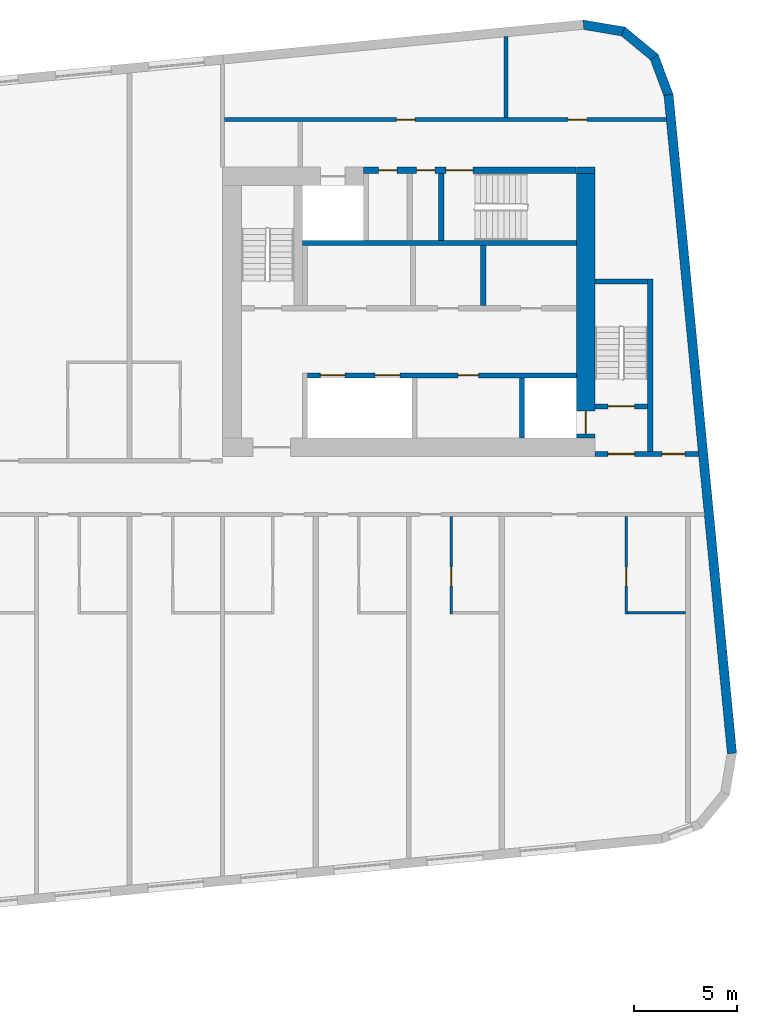
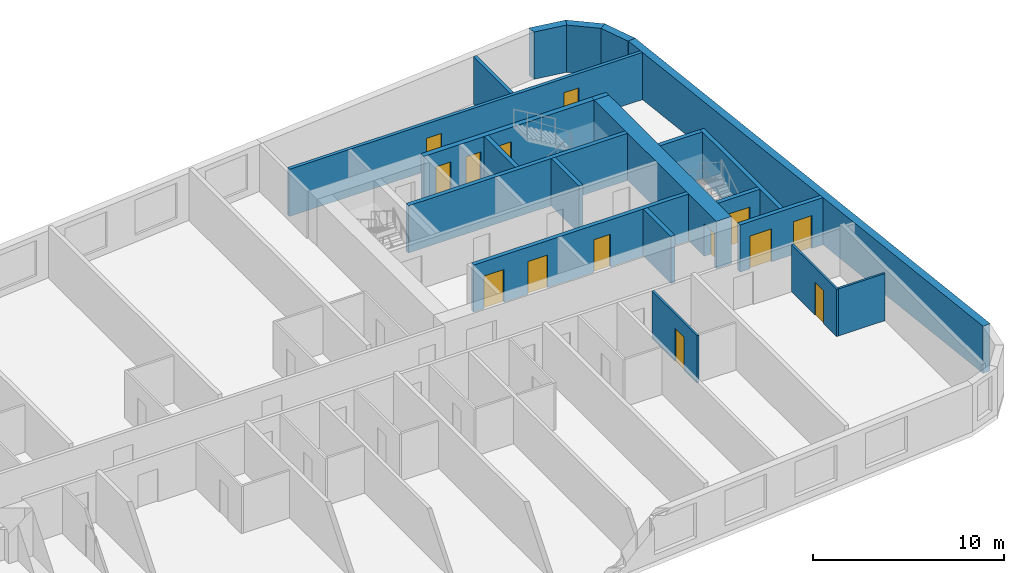
# One storey, part 7 of 11: 21 walls, 14 doors, 14 openings.
"""IFC4 building model written with IfcOpenShell, lengths in metres."""

from ifc_helpers import new_model, si_unit, direction, frame, frame_2d, origin, place, context, subcontext, project, spatial, polyline, rectangle, outline, extrude, material, layer, layer_set, type_object, element, fill, save


model = new_model("IFC4")

# Units and contexts
model_context = context("Model", 3, precision=1e-05, world=origin(), true_north=direction((0.0, 1.0)))
body_context = subcontext(model_context, "Body", "Model", "MODEL_VIEW")
ifc_project = project(units=[si_unit("LENGTHUNIT", "METRE"), si_unit("AREAUNIT", "SQUARE_METRE"), si_unit("VOLUMEUNIT", "CUBIC_METRE"), si_unit("PLANEANGLEUNIT", "RADIAN"), si_unit("MASSUNIT", "GRAM", prefix="KILO")], contexts=[model_context])

# Site, building, storey
site_placement = place(None, origin())
site = spatial("IfcSite", under=ifc_project, at=site_placement, CompositionType="ELEMENT")
building_placement = place(site_placement, origin())
building = spatial("IfcBuilding", under=site, at=building_placement, Name="Kajstack Hotel Tower", CompositionType="ELEMENT")
storey_placement = place(building_placement, frame((0.0, 0.0, 281.699951171875)))
storey = spatial("IfcBuildingStorey", under=building, at=storey_placement, Name="L70", CompositionType="ELEMENT", Elevation=281.699951171875)

# Wall
ifc_material_1 = material(Name="Concrete C60/75", Category="concrete")
ifc_layer_1 = layer(ifc_material_1, 0.89990234375)
ifc_layer_set_1 = layer_set([ifc_layer_1], Name="Core wall 900")
wall_type_1 = type_object("IfcWallType", Name="Core wall 900", PredefinedType="SHEAR", material=ifc_layer_set_1)
wall_1_placement = place(storey_placement, frame((30.60009765625, 15.35009765625, 0.0), z_axis=(0.0, 0.0, 1.0), x_axis=(1.0, 0.0, 0.0)))
element("IfcWall", 1, at=wall_1_placement, inside=storey, type_object=wall_type_1, Name="Core wall E RSW", PredefinedType="SHEAR", context=body_context, shape_type="SweptSolid", body=[
    extrude(rectangle(XDim=0.89990234375, YDim=0.300048828125, at=frame_2d((0.449951171875, 0.0))), origin(), (0.0, 0.0, 1.0), 3.02001953125),
])

# Wall, opening, door
wall_2_placement = place(storey_placement, frame((31.050048828125, 2.39990234375, 0.0), z_axis=(0.0, 0.0, 1.0), x_axis=(0.0, 1.0, 0.0)))
wall_2 = element("IfcWall", 2, at=wall_2_placement, inside=storey, type_object=wall_type_1, Name="Core wall E RW", PredefinedType="SHEAR", context=body_context, shape_type="SweptSolid", body=[
    extrude(rectangle(XDim=12.800048828125, YDim=0.89990234375, at=frame_2d((6.39990234375, 0.0))), origin(), (0.0, 0.0, 1.0), 3.02001953125),
])
opening_1_placement = place(wall_2_placement, frame((0.199951171875, 0.0, 0.0)))
opening_1 = element("IfcOpeningElement", 3, at=opening_1_placement, cuts=wall_2, Name="Opening LD-FF2", PredefinedType="OPENING", context=body_context, shape_type="SweptSolid", body=[
    extrude(rectangle(XDim=1.10009765625, YDim=2.10009765625, at=frame_2d((0.550048828125, 1.050048828125))), frame((0.0, 0.4599609375, 0.0), z_axis=(0.0, -1.0, 0.0), x_axis=(1.0, 0.0, 0.0)), (0.0, 0.0, 1.0), 0.919921875),
])
ifc_material_2 = material(Name="Stainless steel", Category="steel")
door_type_1 = type_object("IfcDoorType", Name="Fire-fighting lift landing door 1100", OperationType="SLIDING_TO_LEFT", PredefinedType="DOOR", material=ifc_material_2)
door_1_placement = place(opening_1_placement, origin())
door_1 = element("IfcDoor", 4, at=door_1_placement, inside=storey, type_object=door_type_1, Name="Landing door FF2", OperationType="SLIDING_TO_LEFT", OverallHeight=2.10009765625, OverallWidth=1.10009765625, PredefinedType="DOOR", context=body_context, shape_type="SweptSolid", body=[
    extrude(rectangle(XDim=1.10009765625, YDim=2.10009765625, at=frame_2d((0.550048828125, 1.050048828125))), frame((0.0, 0.02490234375, 0.0), z_axis=(0.0, -1.0, 0.0), x_axis=(1.0, 0.0, 0.0)), (0.0, 0.0, 1.0), 0.050048828125),
])
fill(opening_1, door_1)

# Walls
ifc_material_3 = material(Name="Terracotta-faced brick masonry", Category="masonry")
ifc_layer_2 = layer(ifc_material_3, 0.449951171875)
ifc_layer_set_2 = layer_set([ifc_layer_2], Name="EW-TERRA")
wall_type_2 = type_object("IfcWallType", Name="EW-TERRA", PredefinedType="SOLIDWALL", material=ifc_layer_set_2)
wall_3_placement = place(storey_placement, frame((38.13232421875, -12.85791015625, 0.0), z_axis=(0.0, 0.0, 1.0), x_axis=(-0.095847749461, 0.995396006082, 0.0)))
element("IfcWall", 5, at=wall_3_placement, inside=storey, type_object=wall_type_2, Name="E-wall-L70-08-00", PredefinedType="SOLIDWALL", context=body_context, shape_type="SweptSolid", body=[
    extrude(rectangle(XDim=32.0, YDim=0.449951171875, at=frame_2d((16.0, 0.0))), origin(), (0.0, 0.0, 1.0), 3.02001953125),
])
wall_4_placement = place(storey_placement, frame((35.078369140625, 18.9375, 0.0), z_axis=(0.0, 0.0, 1.0), x_axis=(-0.350192909346, 0.936677599948, 0.0)))
element("IfcWall", 6, at=wall_4_placement, inside=storey, type_object=wall_type_2, Name="E-wall-L70-09-00", PredefinedType="SOLIDWALL", context=body_context, shape_type="SweptSolid", body=[
    extrude(outline(polyline([(0.0, -0.22509765625), (2.070556640625, -0.22509765625), (1.949951171875, 0.224853515625), (0.12060546875, 0.224853515625), (0.0, -0.22509765625)])), origin(), (0.0, 0.0, 1.0), 3.02001953125),
])
wall_5_placement = place(storey_placement, frame((34.4208984375, 20.7822265625, 0.0), z_axis=(0.0, 0.0, 1.0), x_axis=(-0.771593176315, 0.636116318187, 0.0)))
element("IfcWall", 7, at=wall_5_placement, inside=storey, type_object=wall_type_2, Name="E-wall-L70-10-00", PredefinedType="SOLIDWALL", context=body_context, shape_type="SweptSolid", body=[
    extrude(outline(polyline([(0.0, -0.22509765625), (2.070556640625, -0.224853515625), (1.949951171875, 0.22509765625), (0.120361328125, 0.22509765625), (0.0, -0.22509765625)])), origin(), (0.0, 0.0, 1.0), 3.02001953125),
])
wall_6_placement = place(storey_placement, frame((32.92919921875, 22.051025390625, 0.0), z_axis=(0.0, 0.0, 1.0), x_axis=(-0.986298144721, 0.164972633245, 0.0)))
element("IfcWall", 8, at=wall_6_placement, inside=storey, type_object=wall_type_2, Name="E-wall-L70-11-00", PredefinedType="SOLIDWALL", context=body_context, shape_type="SweptSolid", body=[
    extrude(outline(polyline([(0.0, -0.224853515625), (2.0703125, -0.22509765625), (1.949951171875, 0.224853515625), (0.12060546875, 0.22509765625), (0.0, -0.224853515625)])), origin(), (0.0, 0.0, 1.0), 3.02001953125),
])

# Wall, opening, door
ifc_material_4 = material(Name="Gypsum board and tiled backer on steel studs", Category="steel")
ifc_layer_3 = layer(ifc_material_4, 0.125)
ifc_layer_set_3 = layer_set([ifc_layer_3], Name="En-suite wall 125")
wall_type_3 = type_object("IfcWallType", Name="En-suite wall 125", PredefinedType="PARTITIONING", material=ifc_layer_set_3)
wall_7_placement = place(storey_placement, frame((24.56201171875, -6.125, 0.0), z_axis=(0.0, 0.0, 1.0), x_axis=(0.0, 1.0, 0.0)))
wall_7 = element("IfcWall", 9, at=wall_7_placement, inside=storey, type_object=wall_type_3, Name="G-wall-L70-036", PredefinedType="PARTITIONING", context=body_context, shape_type="SweptSolid", body=[
    extrude(rectangle(XDim=4.72509765625, YDim=0.125, at=frame_2d((2.362548828125, 0.0))), origin(), (0.0, 0.0, 1.0), 3.02001953125),
])
opening_2_placement = place(wall_7_placement, frame((1.375, 0.0, 0.0)))
opening_2 = element("IfcOpeningElement", 10, at=opening_2_placement, cuts=wall_7, Name="Opening 70030", PredefinedType="OPENING", context=body_context, shape_type="SweptSolid", body=[
    extrude(rectangle(XDim=0.89990234375, YDim=2.10009765625, at=frame_2d((0.449951171875, 1.050048828125))), frame((0.0, 0.072509765625, 0.0), z_axis=(0.0, -1.0, 0.0), x_axis=(1.0, 0.0, 0.0)), (0.0, 0.0, 1.0), 0.14501953125),
])
ifc_material_5 = material(Name="Painted timber door leaf", Category="wood")
door_type_2 = type_object("IfcDoorType", Name="Room door 900", OperationType="SINGLE_SWING_LEFT", PredefinedType="DOOR", material=ifc_material_5)
door_2_placement = place(opening_2_placement, origin())
door_2 = element("IfcDoor", 11, at=door_2_placement, inside=storey, type_object=door_type_2, Name="G-door-L70-30", OperationType="SINGLE_SWING_RIGHT", OverallHeight=2.10009765625, OverallWidth=0.89990234375, PredefinedType="DOOR", context=body_context, shape_type="SweptSolid", body=[
    extrude(rectangle(XDim=0.89990234375, YDim=2.10009765625, at=frame_2d((0.449951171875, 1.050048828125))), frame((0.0, 0.02490234375, 0.0), z_axis=(0.0, -1.0, 0.0), x_axis=(1.0, 0.0, 0.0)), (0.0, 0.0, 1.0), 0.050048828125),
])
fill(opening_2, door_2)

wall_8_placement = place(storey_placement, frame((33.012939453125, -6.125, 0.0), z_axis=(0.0, 0.0, 1.0), x_axis=(0.0, 1.0, 0.0)))
wall_8 = element("IfcWall", 12, at=wall_8_placement, inside=storey, type_object=wall_type_3, Name="G-wall-L70-038", PredefinedType="PARTITIONING", context=body_context, shape_type="SweptSolid", body=[
    extrude(rectangle(XDim=4.72509765625, YDim=0.125, at=frame_2d((2.362548828125, 0.0))), origin(), (0.0, 0.0, 1.0), 3.02001953125),
])
opening_3_placement = place(wall_8_placement, frame((1.375, 0.0, 0.0)))
opening_3 = element("IfcOpeningElement", 13, at=opening_3_placement, cuts=wall_8, Name="Opening 70032", PredefinedType="OPENING", context=body_context, shape_type="SweptSolid", body=[
    extrude(rectangle(XDim=0.89990234375, YDim=2.10009765625, at=frame_2d((0.449951171875, 1.050048828125))), frame((0.0, 0.072509765625, 0.0), z_axis=(0.0, -1.0, 0.0), x_axis=(1.0, 0.0, 0.0)), (0.0, 0.0, 1.0), 0.14501953125),
])
door_3_placement = place(opening_3_placement, origin())
door_3 = element("IfcDoor", 14, at=door_3_placement, inside=storey, type_object=door_type_2, Name="G-door-L70-32", OperationType="SINGLE_SWING_RIGHT", OverallHeight=2.10009765625, OverallWidth=0.89990234375, PredefinedType="DOOR", context=body_context, shape_type="SweptSolid", body=[
    extrude(rectangle(XDim=0.89990234375, YDim=2.10009765625, at=frame_2d((0.449951171875, 1.050048828125))), frame((0.0, 0.02490234375, 0.0), z_axis=(0.0, -1.0, 0.0), x_axis=(1.0, 0.0, 0.0)), (0.0, 0.0, 1.0), 0.050048828125),
])
fill(opening_3, door_3)

# Walls
wall_9_placement = place(storey_placement, frame((33.074951171875, -6.06201171875, 0.0), z_axis=(0.0, 0.0, 1.0), x_axis=(1.0, 0.0, 0.0)))
element("IfcWall", 15, at=wall_9_placement, inside=storey, type_object=wall_type_3, Name="G-wall-L70-039", PredefinedType="PARTITIONING", context=body_context, shape_type="SweptSolid", body=[
    extrude(rectangle(XDim=2.800048828125, YDim=0.125, at=frame_2d((1.39990234375, 0.0))), origin(), (0.0, 0.0, 1.0), 3.02001953125),
])
ifc_material_6 = material(Name="Concrete block masonry", Category="masonry")
ifc_layer_4 = layer(ifc_material_6, 0.25)
ifc_layer_set_4 = layer_set([ifc_layer_4], Name="Riser partition 250")
wall_type_4 = type_object("IfcWallType", Name="Riser partition 250", PredefinedType="PARTITIONING", material=ifc_layer_set_4)
wall_10_placement = place(storey_placement, frame((26.10009765625, 8.800048828125, 0.0), z_axis=(0.0, 0.0, 1.0), x_axis=(0.0, 1.0, 0.0)))
element("IfcWall", 16, at=wall_10_placement, inside=storey, type_object=wall_type_4, Name="Partition E BF0", PredefinedType="PARTITIONING", context=body_context, shape_type="SweptSolid", body=[
    extrude(rectangle(XDim=2.89990234375, YDim=0.25, at=frame_2d((1.449951171875, 0.0))), origin(), (0.0, 0.0, 1.0), 3.02001953125),
])

# Wall, openings, doors
ifc_material_7 = material(Name="Gypsum board on steel studs, mineral wool", Category="steel")
ifc_layer_5 = layer(ifc_material_7, 0.199951171875)
ifc_layer_set_5 = layer_set([ifc_layer_5], Name="Service partition 200")
wall_type_5 = type_object("IfcWallType", Name="Service partition 200", PredefinedType="PARTITIONING", material=ifc_layer_set_5)
wall_11_placement = place(storey_placement, frame((31.5, 1.625, 0.0), z_axis=(0.0, 0.0, 1.0), x_axis=(1.0, 0.0, 0.0)))
wall_11 = element("IfcWall", 17, at=wall_11_placement, inside=storey, type_object=wall_type_5, Name="Partition E SN", PredefinedType="PARTITIONING", context=body_context, shape_type="SweptSolid", body=[
    extrude(rectangle(XDim=5.01171875, YDim=0.25, at=frame_2d((2.505859375, 0.0))), origin(), (0.0, 0.0, 1.0), 3.02001953125),
])
opening_4_placement = place(wall_11_placement, frame((0.625, 0.0, 0.0)))
opening_4 = element("IfcOpeningElement", 18, at=opening_4_placement, cuts=wall_11, Name="Opening 70E06", PredefinedType="OPENING", context=body_context, shape_type="SweptSolid", body=[
    extrude(rectangle(XDim=1.300048828125, YDim=2.10009765625, at=frame_2d((0.64990234375, 1.050048828125))), frame((0.0, 0.135009765625, 0.0), z_axis=(0.0, -1.0, 0.0), x_axis=(1.0, 0.0, 0.0)), (0.0, 0.0, 1.0), 0.27001953125),
])
opening_5_placement = place(wall_11_placement, frame((3.25, 0.0, 0.0)))
opening_5 = element("IfcOpeningElement", 19, at=opening_5_placement, cuts=wall_11, Name="Opening 70E08", PredefinedType="OPENING", context=body_context, shape_type="SweptSolid", body=[
    extrude(rectangle(XDim=1.10009765625, YDim=2.10009765625, at=frame_2d((0.550048828125, 1.050048828125))), frame((0.0, 0.135009765625, 0.0), z_axis=(0.0, -1.0, 0.0), x_axis=(1.0, 0.0, 0.0)), (0.0, 0.0, 1.0), 0.27001953125),
])
ifc_material_8 = material(Name="Steel leaf, fire-rated", Category="steel")
door_type_3 = type_object("IfcDoorType", Name="Fire lobby door 1300", OperationType="SINGLE_SWING_LEFT", PredefinedType="DOOR", material=ifc_material_8)
door_4_placement = place(opening_4_placement, origin())
door_4 = element("IfcDoor", 20, at=door_4_placement, inside=storey, type_object=door_type_3, Name="Door 70E06", OperationType="SINGLE_SWING_LEFT", OverallHeight=2.10009765625, OverallWidth=1.300048828125, PredefinedType="DOOR", context=body_context, shape_type="SweptSolid", body=[
    extrude(rectangle(XDim=1.300048828125, YDim=2.10009765625, at=frame_2d((0.64990234375, 1.050048828125))), frame((0.0, 0.02490234375, 0.0), z_axis=(0.0, -1.0, 0.0), x_axis=(1.0, 0.0, 0.0)), (0.0, 0.0, 1.0), 0.050048828125),
])
fill(opening_4, door_4)
ifc_material_9 = material(Name="Timber leaf, fire-rated", Category="wood")
door_type_4 = type_object("IfcDoorType", Name="Service corridor door 1100", OperationType="SINGLE_SWING_LEFT", PredefinedType="DOOR", material=ifc_material_9)
door_5_placement = place(opening_5_placement, origin())
door_5 = element("IfcDoor", 21, at=door_5_placement, inside=storey, type_object=door_type_4, Name="Door 70E08", OperationType="SINGLE_SWING_LEFT", OverallHeight=2.10009765625, OverallWidth=1.10009765625, PredefinedType="DOOR", context=body_context, shape_type="SweptSolid", body=[
    extrude(rectangle(XDim=1.10009765625, YDim=2.10009765625, at=frame_2d((0.550048828125, 1.050048828125))), frame((0.0, 0.02490234375, 0.0), z_axis=(0.0, -1.0, 0.0), x_axis=(1.0, 0.0, 0.0)), (0.0, 0.0, 1.0), 0.050048828125),
])
fill(opening_5, door_5)

wall_12_placement = place(storey_placement, frame((13.60009765625, 17.800048828125, 0.0), z_axis=(0.0, 0.0, 1.0), x_axis=(1.0, 0.0, 0.0)))
wall_12 = element("IfcWall", 22, at=wall_12_placement, inside=storey, type_object=wall_type_5, Name="Partition E SLN", PredefinedType="PARTITIONING", context=body_context, shape_type="SweptSolid", body=[
    extrude(rectangle(XDim=21.35400390625, YDim=0.199951171875, at=frame_2d((10.677001953125, 0.0))), origin(), (0.0, 0.0, 1.0), 3.02001953125),
])
opening_6_placement = place(wall_12_placement, frame((16.612548828125, 0.0, 0.0)))
opening_6 = element("IfcOpeningElement", 23, at=opening_6_placement, cuts=wall_12, Name="Opening 70E17", PredefinedType="OPENING", context=body_context, shape_type="SweptSolid", body=[
    extrude(rectangle(XDim=0.89990234375, YDim=2.10009765625, at=frame_2d((0.449951171875, 1.050048828125))), frame((0.0, 0.10986328125, 0.0), z_axis=(0.0, -1.0, 0.0), x_axis=(1.0, 0.0, 0.0)), (0.0, 0.0, 1.0), 0.219970703125),
])
opening_7_placement = place(wall_12_placement, frame((8.3125, 0.0, 0.0)))
opening_7 = element("IfcOpeningElement", 24, at=opening_7_placement, cuts=wall_12, Name="Opening 70E18", PredefinedType="OPENING", context=body_context, shape_type="SweptSolid", body=[
    extrude(rectangle(XDim=0.89990234375, YDim=2.10009765625, at=frame_2d((0.449951171875, 1.050048828125))), frame((0.0, 0.10986328125, 0.0), z_axis=(0.0, -1.0, 0.0), x_axis=(1.0, 0.0, 0.0)), (0.0, 0.0, 1.0), 0.219970703125),
])
door_type_5 = type_object("IfcDoorType", Name="Service door 900", OperationType="SINGLE_SWING_LEFT", PredefinedType="DOOR", material=ifc_material_9)
door_6_placement = place(opening_6_placement, origin())
door_6 = element("IfcDoor", 25, at=door_6_placement, inside=storey, type_object=door_type_5, Name="Door 70E17", OperationType="SINGLE_SWING_LEFT", OverallHeight=2.10009765625, OverallWidth=0.89990234375, PredefinedType="DOOR", context=body_context, shape_type="SweptSolid", body=[
    extrude(rectangle(XDim=0.89990234375, YDim=2.10009765625, at=frame_2d((0.449951171875, 1.050048828125))), frame((0.0, 0.02490234375, 0.0), z_axis=(0.0, -1.0, 0.0), x_axis=(1.0, 0.0, 0.0)), (0.0, 0.0, 1.0), 0.050048828125),
])
fill(opening_6, door_6)
door_7_placement = place(opening_7_placement, origin())
door_7 = element("IfcDoor", 26, at=door_7_placement, inside=storey, type_object=door_type_5, Name="Door 70E18", OperationType="SINGLE_SWING_LEFT", OverallHeight=2.10009765625, OverallWidth=0.89990234375, PredefinedType="DOOR", context=body_context, shape_type="SweptSolid", body=[
    extrude(rectangle(XDim=0.89990234375, YDim=2.10009765625, at=frame_2d((0.449951171875, 1.050048828125))), frame((0.0, 0.02490234375, 0.0), z_axis=(0.0, -1.0, 0.0), x_axis=(1.0, 0.0, 0.0)), (0.0, 0.0, 1.0), 0.050048828125),
])
fill(opening_7, door_7)

# Wall
wall_13_placement = place(storey_placement, frame((27.199951171875, 17.89990234375, 0.0), z_axis=(0.0, 0.0, 1.0), x_axis=(0.0, 1.0, 0.0)))
element("IfcWall", 27, at=wall_13_placement, inside=storey, type_object=wall_type_5, Name="Partition E SLP0", PredefinedType="PARTITIONING", context=body_context, shape_type="SweptSolid", body=[
    extrude(rectangle(XDim=3.905029296875, YDim=0.199951171875, at=frame_2d((1.95263671875, 0.0))), origin(), (0.0, 0.0, 1.0), 3.02001953125),
])

# Wall, openings, doors
ifc_material_10 = material(Name="Concrete C50/60", Category="concrete")
ifc_layer_6 = layer(ifc_material_10, 0.25)
ifc_layer_set_6 = layer_set([ifc_layer_6], Name="Shaft wall 250")
wall_type_6 = type_object("IfcWallType", Name="Shaft wall 250", PredefinedType="SHEAR", material=ifc_layer_set_6)
wall_14_placement = place(storey_placement, frame((20.300048828125, 15.35009765625, 0.0), z_axis=(0.0, 0.0, 1.0), x_axis=(1.0, 0.0, 0.0)))
wall_14 = element("IfcWall", 28, at=wall_14_placement, inside=storey, type_object=wall_type_6, Name="Core wall E RSS", PredefinedType="SHEAR", context=body_context, shape_type="SweptSolid", body=[
    extrude(rectangle(XDim=10.300048828125, YDim=0.300048828125, at=frame_2d((5.14990234375, 0.0))), origin(), (0.0, 0.0, 1.0), 3.02001953125),
])
opening_8_placement = place(wall_14_placement, frame((4.0, 0.0, 0.0)))
opening_8 = element("IfcOpeningElement", 29, at=opening_8_placement, cuts=wall_14, Name="Opening 70E10", PredefinedType="OPENING", context=body_context, shape_type="SweptSolid", body=[
    extrude(rectangle(XDim=1.300048828125, YDim=2.10009765625, at=frame_2d((0.64990234375, 1.050048828125))), frame((0.0, 0.159912109375, 0.0), z_axis=(0.0, -1.0, 0.0), x_axis=(1.0, 0.0, 0.0)), (0.0, 0.0, 1.0), 0.320068359375),
])
opening_9_placement = place(wall_14_placement, frame((2.5625, 0.0, 0.0)))
opening_9 = element("IfcOpeningElement", 30, at=opening_9_placement, cuts=wall_14, Name="Opening 70E11", PredefinedType="OPENING", context=body_context, shape_type="SweptSolid", body=[
    extrude(rectangle(XDim=0.89990234375, YDim=2.10009765625, at=frame_2d((0.449951171875, 1.050048828125))), frame((0.0, 0.159912109375, 0.0), z_axis=(0.0, -1.0, 0.0), x_axis=(1.0, 0.0, 0.0)), (0.0, 0.0, 1.0), 0.320068359375),
])
opening_10_placement = place(wall_14_placement, frame((0.737548828125, 0.0, 0.0)))
opening_10 = element("IfcOpeningElement", 31, at=opening_10_placement, cuts=wall_14, Name="Opening 70E12", PredefinedType="OPENING", context=body_context, shape_type="SweptSolid", body=[
    extrude(rectangle(XDim=0.89990234375, YDim=2.10009765625, at=frame_2d((0.449951171875, 1.050048828125))), frame((0.0, 0.159912109375, 0.0), z_axis=(0.0, -1.0, 0.0), x_axis=(1.0, 0.0, 0.0)), (0.0, 0.0, 1.0), 0.320068359375),
])
door_type_6 = type_object("IfcDoorType", Name="Riser door 900", OperationType="SINGLE_SWING_LEFT", PredefinedType="DOOR", material=ifc_material_8)
door_8_placement = place(opening_10_placement, origin())
door_8 = element("IfcDoor", 32, at=door_8_placement, inside=storey, type_object=door_type_6, Name="Door 70E12", OperationType="SINGLE_SWING_RIGHT", OverallHeight=2.10009765625, OverallWidth=0.89990234375, PredefinedType="DOOR", context=body_context, shape_type="SweptSolid", body=[
    extrude(rectangle(XDim=0.89990234375, YDim=2.10009765625, at=frame_2d((0.449951171875, 1.050048828125))), frame((0.0, 0.02490234375, 0.0), z_axis=(0.0, -1.0, 0.0), x_axis=(1.0, 0.0, 0.0)), (0.0, 0.0, 1.0), 0.050048828125),
])
fill(opening_10, door_8)
door_9_placement = place(opening_9_placement, origin())
door_9 = element("IfcDoor", 33, at=door_9_placement, inside=storey, type_object=door_type_5, Name="Door 70E11", OperationType="SINGLE_SWING_RIGHT", OverallHeight=2.10009765625, OverallWidth=0.89990234375, PredefinedType="DOOR", context=body_context, shape_type="SweptSolid", body=[
    extrude(rectangle(XDim=0.89990234375, YDim=2.10009765625, at=frame_2d((0.449951171875, 1.050048828125))), frame((0.0, 0.02490234375, 0.0), z_axis=(0.0, -1.0, 0.0), x_axis=(1.0, 0.0, 0.0)), (0.0, 0.0, 1.0), 0.050048828125),
])
fill(opening_9, door_9)
door_type_7 = type_object("IfcDoorType", Name="Stair door 1300", OperationType="SINGLE_SWING_LEFT", PredefinedType="DOOR", material=ifc_material_8)
door_10_placement = place(opening_8_placement, origin())
door_10 = element("IfcDoor", 34, at=door_10_placement, inside=storey, type_object=door_type_7, Name="Door 70E10", OperationType="SINGLE_SWING_LEFT", OverallHeight=2.10009765625, OverallWidth=1.300048828125, PredefinedType="DOOR", context=body_context, shape_type="SweptSolid", body=[
    extrude(rectangle(XDim=1.300048828125, YDim=2.10009765625, at=frame_2d((0.64990234375, 1.050048828125))), frame((0.0, 0.02490234375, 0.0), z_axis=(0.0, -1.0, 0.0), x_axis=(1.0, 0.0, 0.0)), (0.0, 0.0, 1.0), 0.050048828125),
])
fill(opening_8, door_10)

wall_15_placement = place(storey_placement, frame((17.60009765625, 5.425048828125, 0.0), z_axis=(0.0, 0.0, 1.0), x_axis=(1.0, 0.0, 0.0)))
wall_15 = element("IfcWall", 35, at=wall_15_placement, inside=storey, type_object=wall_type_6, Name="Core wall E FA", PredefinedType="SHEAR", context=body_context, shape_type="SweptSolid", body=[
    extrude(rectangle(XDim=13.0, YDim=0.25, at=frame_2d((6.5, 0.0))), origin(), (0.0, 0.0, 1.0), 3.02001953125),
])
opening_11_placement = place(wall_15_placement, frame((3.27490234375, 0.0, 0.0)))
opening_11 = element("IfcOpeningElement", 36, at=opening_11_placement, cuts=wall_15, Name="Opening LD-HR3", PredefinedType="OPENING", context=body_context, shape_type="SweptSolid", body=[
    extrude(rectangle(XDim=1.199951171875, YDim=2.10009765625, at=frame_2d((0.60009765625, 1.050048828125))), frame((0.0, 0.135009765625, 0.0), z_axis=(0.0, -1.0, 0.0), x_axis=(1.0, 0.0, 0.0)), (0.0, 0.0, 1.0), 0.27001953125),
])
opening_12_placement = place(wall_15_placement, frame((0.625, 0.0, 0.0)))
opening_12 = element("IfcOpeningElement", 37, at=opening_12_placement, cuts=wall_15, Name="Opening LD-HR4", PredefinedType="OPENING", context=body_context, shape_type="SweptSolid", body=[
    extrude(rectangle(XDim=1.199951171875, YDim=2.10009765625, at=frame_2d((0.60009765625, 1.050048828125))), frame((0.0, 0.135009765625, 0.0), z_axis=(0.0, -1.0, 0.0), x_axis=(1.0, 0.0, 0.0)), (0.0, 0.0, 1.0), 0.27001953125),
])
opening_13_placement = place(wall_15_placement, frame((7.27490234375, 0.0, 0.0)))
opening_13 = element("IfcOpeningElement", 38, at=opening_13_placement, cuts=wall_15, Name="Opening 70E16", PredefinedType="OPENING", context=body_context, shape_type="SweptSolid", body=[
    extrude(rectangle(XDim=1.0, YDim=2.10009765625, at=frame_2d((0.5, 1.050048828125))), frame((0.0, 0.135009765625, 0.0), z_axis=(0.0, -1.0, 0.0), x_axis=(1.0, 0.0, 0.0)), (0.0, 0.0, 1.0), 0.27001953125),
])
door_type_8 = type_object("IfcDoorType", Name="Lift landing door 1200", OperationType="SLIDING_TO_LEFT", PredefinedType="DOOR", material=ifc_material_2)
door_11_placement = place(opening_11_placement, origin())
door_11 = element("IfcDoor", 39, at=door_11_placement, inside=storey, type_object=door_type_8, Name="Landing door HR3", OperationType="SLIDING_TO_RIGHT", OverallHeight=2.10009765625, OverallWidth=1.199951171875, PredefinedType="DOOR", context=body_context, shape_type="SweptSolid", body=[
    extrude(rectangle(XDim=1.199951171875, YDim=2.10009765625, at=frame_2d((0.60009765625, 1.050048828125))), frame((0.0, 0.02490234375, 0.0), z_axis=(0.0, -1.0, 0.0), x_axis=(1.0, 0.0, 0.0)), (0.0, 0.0, 1.0), 0.050048828125),
])
fill(opening_11, door_11)
door_12_placement = place(opening_12_placement, origin())
door_12 = element("IfcDoor", 40, at=door_12_placement, inside=storey, type_object=door_type_8, Name="Landing door HR4", OperationType="SLIDING_TO_LEFT", OverallHeight=2.10009765625, OverallWidth=1.199951171875, PredefinedType="DOOR", context=body_context, shape_type="SweptSolid", body=[
    extrude(rectangle(XDim=1.199951171875, YDim=2.10009765625, at=frame_2d((0.60009765625, 1.050048828125))), frame((0.0, 0.02490234375, 0.0), z_axis=(0.0, -1.0, 0.0), x_axis=(1.0, 0.0, 0.0)), (0.0, 0.0, 1.0), 0.050048828125),
])
fill(opening_12, door_12)
door_type_9 = type_object("IfcDoorType", Name="Service room door 1000", OperationType="SINGLE_SWING_LEFT", PredefinedType="DOOR", material=ifc_material_9)
door_13_placement = place(opening_13_placement, origin())
door_13 = element("IfcDoor", 41, at=door_13_placement, inside=storey, type_object=door_type_9, Name="Door 70E16", OperationType="SINGLE_SWING_LEFT", OverallHeight=2.10009765625, OverallWidth=1.0, PredefinedType="DOOR", context=body_context, shape_type="SweptSolid", body=[
    extrude(rectangle(XDim=1.0, YDim=2.10009765625, at=frame_2d((0.5, 1.050048828125))), frame((0.0, 0.02490234375, 0.0), z_axis=(0.0, -1.0, 0.0), x_axis=(1.0, 0.0, 0.0)), (0.0, 0.0, 1.0), 0.050048828125),
])
fill(opening_13, door_13)

# Walls
wall_16_placement = place(storey_placement, frame((27.97509765625, 2.39990234375, 0.0), z_axis=(0.0, 0.0, 1.0), x_axis=(0.0, 1.0, 0.0)))
element("IfcWall", 42, at=wall_16_placement, inside=storey, type_object=wall_type_6, Name="Core wall E AP0", PredefinedType="SHEAR", context=body_context, shape_type="SweptSolid", body=[
    extrude(rectangle(XDim=2.900146484375, YDim=0.25, at=frame_2d((1.4501953125, 0.0))), origin(), (0.0, 0.0, 1.0), 3.02001953125),
])
wall_17_placement = place(storey_placement, frame((17.35009765625, 11.824951171875, 0.0), z_axis=(0.0, 0.0, 1.0), x_axis=(1.0, 0.0, 0.0)))
element("IfcWall", 43, at=wall_17_placement, inside=storey, type_object=wall_type_6, Name="Core wall E RB", PredefinedType="SHEAR", context=body_context, shape_type="SweptSolid", body=[
    extrude(rectangle(XDim=13.25, YDim=0.25, at=frame_2d((6.625, 0.0))), origin(), (0.0, 0.0, 1.0), 3.02001953125),
])

# Wall, opening, door
ifc_material_11 = material(Name="Concrete C40/50", Category="concrete")
ifc_layer_7 = layer(ifc_material_11, 0.25)
ifc_layer_set_7 = layer_set([ifc_layer_7], Name="Stair enclosure wall 250")
wall_type_7 = type_object("IfcWallType", Name="Stair enclosure wall 250", PredefinedType="SHEAR", material=ifc_layer_set_7)
wall_18_placement = place(storey_placement, frame((31.5, 3.925048828125, 0.0), z_axis=(0.0, 0.0, 1.0), x_axis=(1.0, 0.0, 0.0)))
wall_18 = element("IfcWall", 44, at=wall_18_placement, inside=storey, type_object=wall_type_7, Name="Core wall E W1N", PredefinedType="SHEAR", context=body_context, shape_type="SweptSolid", body=[
    extrude(rectangle(XDim=2.550048828125, YDim=0.25, at=frame_2d((1.27490234375, 0.0))), origin(), (0.0, 0.0, 1.0), 3.02001953125),
])
opening_14_placement = place(wall_18_placement, frame((0.625, 0.0, 0.0)))
opening_14 = element("IfcOpeningElement", 45, at=opening_14_placement, cuts=wall_18, Name="Opening 70E07", PredefinedType="OPENING", context=body_context, shape_type="SweptSolid", body=[
    extrude(rectangle(XDim=1.300048828125, YDim=2.10009765625, at=frame_2d((0.64990234375, 1.050048828125))), frame((0.0, 0.135009765625, 0.0), z_axis=(0.0, -1.0, 0.0), x_axis=(1.0, 0.0, 0.0)), (0.0, 0.0, 1.0), 0.27001953125),
])
door_14_placement = place(opening_14_placement, origin())
door_14 = element("IfcDoor", 46, at=door_14_placement, inside=storey, type_object=door_type_7, Name="Door 70E07", OperationType="SINGLE_SWING_LEFT", OverallHeight=2.10009765625, OverallWidth=1.300048828125, PredefinedType="DOOR", context=body_context, shape_type="SweptSolid", body=[
    extrude(rectangle(XDim=1.300048828125, YDim=2.10009765625, at=frame_2d((0.64990234375, 1.050048828125))), frame((0.0, 0.02490234375, 0.0), z_axis=(0.0, -1.0, 0.0), x_axis=(1.0, 0.0, 0.0)), (0.0, 0.0, 1.0), 0.050048828125),
])
fill(opening_14, door_14)

# Walls
wall_19_placement = place(storey_placement, frame((34.175048828125, 1.75, 0.0), z_axis=(0.0, 0.0, 1.0), x_axis=(0.0, 1.0, 0.0)))
element("IfcWall", 47, at=wall_19_placement, inside=storey, type_object=wall_type_7, Name="Core wall E W1W", PredefinedType="SHEAR", context=body_context, shape_type="SweptSolid", body=[
    extrude(rectangle(XDim=8.35009765625, YDim=0.25, at=frame_2d((4.175048828125, 0.0))), origin(), (0.0, 0.0, 1.0), 3.02001953125),
])
wall_20_placement = place(storey_placement, frame((31.5, 9.97509765625, 0.0), z_axis=(0.0, 0.0, 1.0), x_axis=(1.0, 0.0, 0.0)))
element("IfcWall", 48, at=wall_20_placement, inside=storey, type_object=wall_type_7, Name="Core wall E W1S", PredefinedType="SHEAR", context=body_context, shape_type="SweptSolid", body=[
    extrude(rectangle(XDim=2.550048828125, YDim=0.25, at=frame_2d((1.27490234375, 0.0))), origin(), (0.0, 0.0, 1.0), 3.02001953125),
])
ifc_layer_8 = layer(ifc_material_10, 0.35009765625)
ifc_layer_set_8 = layer_set([ifc_layer_8], Name="Stair enclosure wall 350")
wall_type_8 = type_object("IfcWallType", Name="Stair enclosure wall 350", PredefinedType="SHEAR", material=ifc_layer_set_8)
wall_21_placement = place(storey_placement, frame((24.074951171875, 11.949951171875, 0.0), z_axis=(0.0, 0.0, 1.0), x_axis=(0.0, 1.0, 0.0)))
element("IfcWall", 49, at=wall_21_placement, inside=storey, type_object=wall_type_8, Name="Core wall E W3E", PredefinedType="SHEAR", context=body_context, shape_type="SweptSolid", body=[
    extrude(rectangle(XDim=3.25, YDim=0.25, at=frame_2d((1.625, 0.0))), origin(), (0.0, 0.0, 1.0), 3.02001953125),
])

save(model, "model.ifc")
